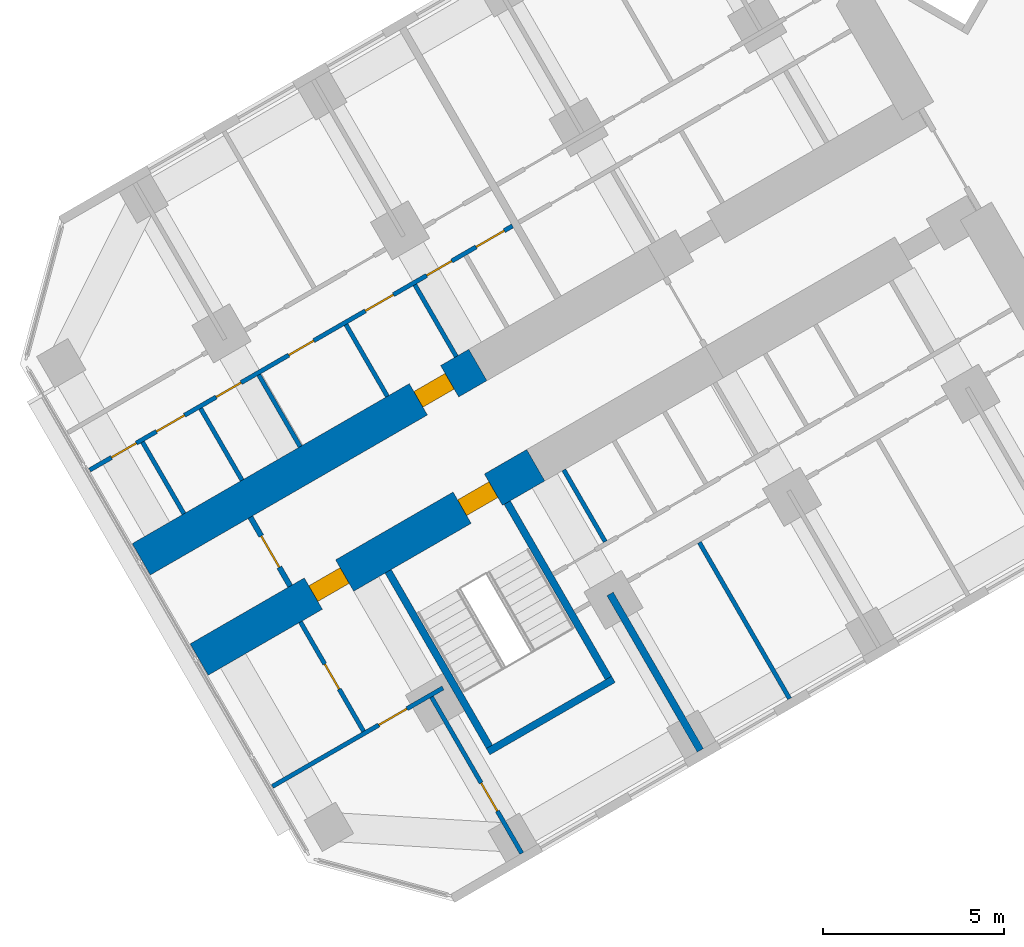
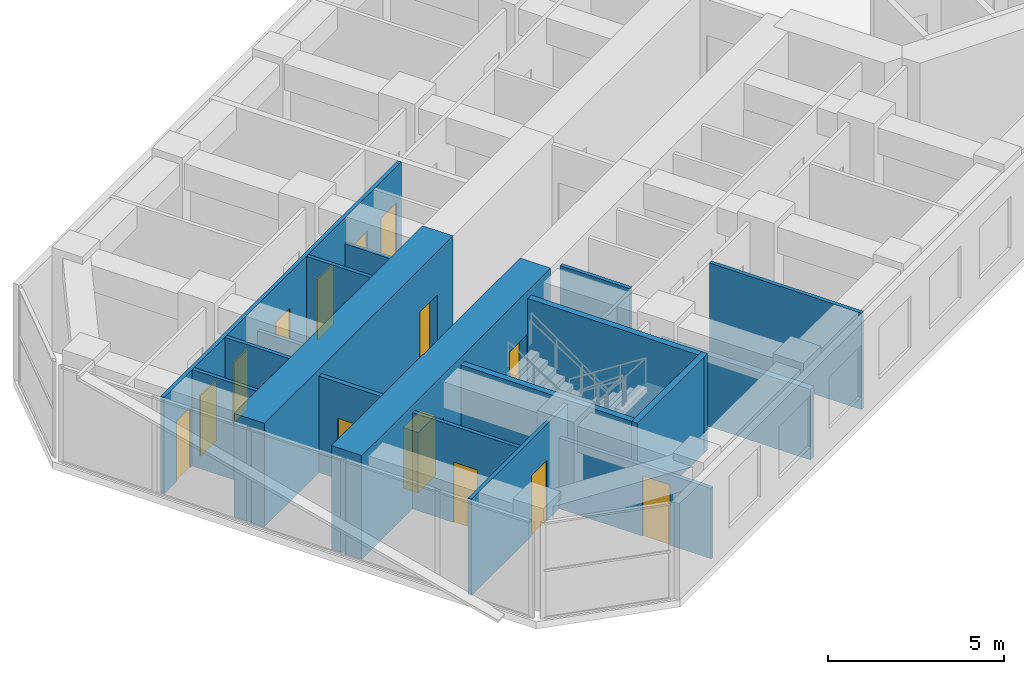
# One storey, part 10 of 21: 18 walls, 14 doors, 14 openings.
"""IFC4 building model written with IfcOpenShell, lengths in metres."""

import ifcopenshell
import ifcopenshell.guid

model = None  # the IFC model being written
_history = None  # IfcOwnerHistory: only IFC2X3 demands one
_inside = {}  # id of a spatial element -> (the spatial element, [elements in it])
_under = {}  # id of a project, library or spatial element -> (it, [spatial elements below it])
_declared = {}  # id of a project -> (the project, [libraries it declares])
_typed = {}  # id of a type object -> (the type object, [elements of that type])
_made_of = {}  # id of a material, layer set ... -> (it, [elements and type objects made of it])


def new_model(schema):
    """Start an empty IFC model of exactly this schema.

    Asked for "IFC4X3", IfcOpenShell would pick the latest addendum, in which some entities
    have other attributes; the version numbers below select the first issue.
    IFC2X3 requires an IfcOwnerHistory on every rooted entity: one is made here for all.
    """
    global model, _history
    if schema == "IFC4X3":
        model = ifcopenshell.file(schema_version=(4, 3, 0, 0))
    else:
        model = ifcopenshell.file(schema=schema)
    _inside.clear()
    _under.clear()
    _declared.clear()
    _typed.clear()
    _made_of.clear()
    _history = None
    if model.schema == "IFC2X3":
        org = make("IfcOrganization", Name="unknown")
        user = make(
            "IfcPersonAndOrganization",
            ThePerson=make("IfcPerson", FamilyName="unknown"),
            TheOrganization=org,
        )
        app = make(
            "IfcApplication",
            ApplicationDeveloper=org,
            Version="unknown",
            ApplicationFullName="unknown",
            ApplicationIdentifier="unknown",
        )
        _history = make(
            "IfcOwnerHistory",
            OwningUser=user,
            OwningApplication=app,
            ChangeAction="ADDED",
            CreationDate=0,
        )
    return model


def make(cls, **values):
    """One entity of the class cls with the attributes given. An attribute that is None is left unset."""
    return model.create_entity(
        cls, **{name: value for name, value in values.items() if value is not None}
    )


def rooted(cls, **values):
    """An entity with a GlobalId (a new one), such as an element, a storey or a relation."""
    return make(cls, GlobalId=ifcopenshell.guid.new(), OwnerHistory=_history, **values)


def si_unit(unit_type, name, prefix=None):
    """IfcSIUnit, for example si_unit("LENGTHUNIT", "METRE", prefix="MILLI")."""
    return make("IfcSIUnit", UnitType=unit_type, Prefix=prefix, Name=name)


def assignment(units):
    """IfcUnitAssignment: the units of a project."""
    return None if units is None else make("IfcUnitAssignment", Units=units)


def point(xyz):
    """IfcCartesianPoint."""
    return None if xyz is None else make("IfcCartesianPoint", Coordinates=xyz)


def direction(xyz):
    """IfcDirection."""
    return None if xyz is None else make("IfcDirection", DirectionRatios=xyz)


def frame(location, z_axis=None, x_axis=None):
    """IfcAxis2Placement3D, a coordinate frame: its origin and axes. An axis left out is left unset."""
    return make(
        "IfcAxis2Placement3D",
        Location=point(location),
        Axis=direction(z_axis),
        RefDirection=direction(x_axis),
    )


def frame_2d(location, x_axis=None):
    """IfcAxis2Placement2D, a coordinate frame in the plane: its origin and x axis."""
    return make(
        "IfcAxis2Placement2D", Location=point(location), RefDirection=direction(x_axis)
    )


def origin():
    """The frame at (0, 0, 0) with its axes left unset."""
    return frame((0.0, 0.0, 0.0))


def place(relative_to, where):
    """IfcLocalPlacement: puts the frame where relative to a parent placement (None: the world)."""
    return make(
        "IfcLocalPlacement", PlacementRelTo=relative_to, RelativePlacement=where
    )


def context(
    kind, dimensions, precision=None, world=None, true_north=None, identifier=None
):
    """IfcGeometricRepresentationContext, for example the 3D "Model" context."""
    return make(
        "IfcGeometricRepresentationContext",
        ContextIdentifier=identifier,
        ContextType=kind,
        CoordinateSpaceDimension=dimensions,
        Precision=precision,
        WorldCoordinateSystem=world,
        TrueNorth=true_north,
    )


def subcontext(parent, identifier, kind, view, scale=None):
    """IfcGeometricRepresentationSubContext, for example "Body" below "Model"."""
    return make(
        "IfcGeometricRepresentationSubContext",
        ContextIdentifier=identifier,
        ContextType=kind,
        ParentContext=parent,
        TargetScale=scale,
        TargetView=view,
    )


def project(units=None, contexts=None):
    """IfcProject with its units and contexts."""
    return rooted(
        "IfcProject",
        Name="project",
        RepresentationContexts=contexts,
        UnitsInContext=assignment(units),
    )


def spatial(cls, under=None, at=None, **own):
    """A site, building, storey or space (cls), placed at a placement, below another one or the project."""
    s = rooted(cls, ObjectPlacement=at, **own)
    if under is not None:
        _under.setdefault(under.id(), (under, []))[1].append(s)
    return s


def profile(cls, at=None, kind="AREA", **sizes):
    """A parametric profile (cls). Its sizes go by their IFC names, for example OverallWidth=200.0."""
    return make(cls, ProfileType=kind, Position=at, **sizes)


def rectangle(**sizes):
    """IfcRectangleProfileDef."""
    return profile("IfcRectangleProfileDef", **sizes)


def extrude(swept, where, along, depth):
    """IfcExtrudedAreaSolid: the profile swept, set in the frame where, extruded along a direction by depth."""
    return make(
        "IfcExtrudedAreaSolid",
        SweptArea=swept,
        Position=where,
        ExtrudedDirection=direction(along),
        Depth=depth,
    )


def shape(context_of_items, identifier, shape_type, items):
    """IfcShapeRepresentation: the items that make up one representation, for example the "Body"."""
    return make(
        "IfcShapeRepresentation",
        ContextOfItems=context_of_items,
        RepresentationIdentifier=identifier,
        RepresentationType=shape_type,
        Items=items,
    )


def material(Name=None, Category=None):
    """IfcMaterial."""
    return make("IfcMaterial", Name=Name, Category=Category)


def layer(
    of_material, thickness, ventilated=None, Name=None, Category=None, Priority=None
):
    """IfcMaterialLayer: one layer of a wall or slab, of a material (None: an air gap)."""
    return make(
        "IfcMaterialLayer",
        Material=of_material,
        LayerThickness=thickness,
        IsVentilated=ventilated,
        Name=Name,
        Category=Category,
        Priority=Priority,
    )


def layer_set(layers, Name=None):
    """IfcMaterialLayerSet."""
    return make("IfcMaterialLayerSet", MaterialLayers=layers, LayerSetName=Name)


def made_of(thing, what):
    """Note that an element or type object is made of a material, layer set ...; save() writes the relation."""
    if what is not None:
        _made_of.setdefault(what.id(), (what, []))[1].append(thing)
    return thing


def type_object(cls, material=None, **own):
    """A type object (cls), such as IfcWallType, which elements share."""
    return made_of(rooted(cls, **own), material)


def element(
    cls,
    number,
    at=None,
    inside=None,
    cuts=None,
    type_object=None,
    material=None,
    context=None,
    identifier="Body",
    shape_type=None,
    held_by="IfcProductDefinitionShape",
    body=None,
    shapes=None,
    **own,
):
    """One element of the class cls, such as IfcWall. Its Tag is "e" and its number.

    at: its placement. inside: the storey or other place that contains it. cuts: it is an
    opening in that element (IfcRelVoidsElement). A single representation is given by context,
    identifier, shape_type and body (its items); several are given by shapes. held_by: the class
    of the entity that holds the representations. save() writes the other relations.
    """
    e = rooted(cls, Tag="e%d" % number, ObjectPlacement=at, **own)
    if body is not None:
        shapes = [shape(context, identifier, shape_type, body)]
    if shapes is not None:
        e.Representation = make(held_by, Representations=shapes)
    if inside is not None:
        _inside.setdefault(inside.id(), (inside, []))[1].append(e)
    if cuts is not None:
        rooted(
            "IfcRelVoidsElement", RelatingBuildingElement=cuts, RelatedOpeningElement=e
        )
    if type_object is not None:
        _typed.setdefault(type_object.id(), (type_object, []))[1].append(e)
    return made_of(e, material)


def fill(opening, filler):
    """IfcRelFillsElement: the door or window that sits in an opening."""
    return rooted(
        "IfcRelFillsElement",
        RelatingOpeningElement=opening,
        RelatedBuildingElement=filler,
    )


def aggregate(whole, parts):
    """IfcRelAggregates: a whole, such as a stair, and the parts it consists of."""
    return rooted("IfcRelAggregates", RelatingObject=whole, RelatedObjects=parts)


def save(model, path):
    """Write the relations noted so far, then the file.

    IfcRelAggregates (storeys below a building ...), IfcRelContainedInSpatialStructure (elements
    in a storey), IfcRelDefinesByType, IfcRelAssociatesMaterial and IfcRelDeclares: one each for
    every whole, place, type object, material and project.
    """
    for whole, parts in _under.values():
        aggregate(whole, parts)
    for where, things in _inside.values():
        rooted(
            "IfcRelContainedInSpatialStructure",
            RelatedElements=things,
            RelatingStructure=where,
        )
    for kind, things in _typed.values():
        rooted("IfcRelDefinesByType", RelatedObjects=things, RelatingType=kind)
    for what, things in _made_of.values():
        rooted("IfcRelAssociatesMaterial", RelatedObjects=things, RelatingMaterial=what)
    for by, libraries in _declared.values():
        rooted("IfcRelDeclares", RelatingContext=by, RelatedDefinitions=libraries)
    model.write(path)


model = new_model("IFC4")

# Units and contexts
model_context = context("Model", 3, precision=1e-05, world=origin(), true_north=direction((0.0, 1.0)))
body_context = subcontext(model_context, "Body", "Model", "MODEL_VIEW")
ifc_project = project(units=[si_unit("LENGTHUNIT", "METRE"), si_unit("AREAUNIT", "SQUARE_METRE"), si_unit("VOLUMEUNIT", "CUBIC_METRE"), si_unit("PLANEANGLEUNIT", "RADIAN"), si_unit("MASSUNIT", "GRAM", prefix="KILO")], contexts=[model_context])

# Site, building, storey
site_placement = place(None, origin())
site = spatial("IfcSite", under=ifc_project, at=site_placement, CompositionType="ELEMENT")
building_placement = place(site_placement, origin())
building = spatial("IfcBuilding", under=site, at=building_placement, Name="Kosmar Iwan School Tower", CompositionType="ELEMENT")
storey_placement = place(building_placement, frame((0.0, 0.0, 57.39990234375)))
storey = spatial("IfcBuildingStorey", under=building, at=storey_placement, Name="L13", CompositionType="ELEMENT", Elevation=57.39990234375)

# Wall, openings, doors
ifc_material_1 = material(Name="Concrete C50/60", Category="concrete")
ifc_layer_1 = layer(ifc_material_1, 1.0)
ifc_layer_set_1 = layer_set([ifc_layer_1], Name="Corridor buttress wall 1000")
wall_type_1 = type_object("IfcWallType", Name="Corridor buttress wall 1000", PredefinedType="SHEAR", material=ifc_layer_set_1)
wall_1_placement = place(storey_placement, frame((-19.681396484375, -13.210693359375, 0.0), z_axis=(0.0, 0.0, 1.0), x_axis=(-0.866028186671, -0.499995179869, 0.0)))
wall_1 = element("IfcWall", 1, at=wall_1_placement, inside=storey, type_object=wall_type_1, Name="Corridor wall BL bay 3", PredefinedType="SHEAR", context=body_context, shape_type="SweptSolid", body=[
    extrude(rectangle(XDim=10.7451171875, YDim=1.0, at=frame_2d((5.37255859375, 0.0))), origin(), (0.0, 0.0, 1.0), 3.60009765625),
])
opening_1_placement = place(wall_1_placement, frame((6.10009765625, 0.0, 0.0)))
opening_1 = element("IfcOpeningElement", 2, at=opening_1_placement, cuts=wall_1, Name="Opening D1", PredefinedType="OPENING", context=body_context, shape_type="SweptSolid", body=[
    extrude(rectangle(XDim=1.0, YDim=2.10009765625, at=frame_2d((0.5, 1.050048828125))), frame((0.0, 0.511962890625, 0.0), z_axis=(0.0, -1.0, 0.0), x_axis=(1.0, 0.0, 0.0)), (0.0, 0.0, 1.0), 1.02392578125),
])
opening_2_placement = place(wall_1_placement, frame((1.35009765625, 0.0, 0.0)))
opening_2 = element("IfcOpeningElement", 3, at=opening_2_placement, cuts=wall_1, Name="Opening D6", PredefinedType="OPENING", context=body_context, shape_type="SweptSolid", body=[
    extrude(rectangle(XDim=1.0, YDim=2.10009765625, at=frame_2d((0.5, 1.050048828125))), frame((0.0, 0.511962890625, 0.0), z_axis=(0.0, -1.0, 0.0), x_axis=(1.0, 0.0, 0.0)), (0.0, 0.0, 1.0), 1.02392578125),
])
ifc_material_2 = material(Name="Timber fire door in steel frame", Category="steel")
door_type_1 = type_object("IfcDoorType", Name="Flat entrance door 1000x2100", OperationType="SINGLE_SWING_LEFT", PredefinedType="DOOR", material=ifc_material_2)
door_1_placement = place(opening_1_placement, origin())
door_1 = element("IfcDoor", 4, at=door_1_placement, inside=storey, type_object=door_type_1, Name="Flat L13-BL2 entrance door", OperationType="SINGLE_SWING_RIGHT", OverallHeight=2.10009765625, OverallWidth=1.0, PredefinedType="DOOR", context=body_context, shape_type="SweptSolid", body=[
    extrude(rectangle(XDim=1.0, YDim=2.10009765625, at=frame_2d((0.5, 1.050048828125))), frame((0.0, 0.25, 0.0), z_axis=(0.0, -1.0, 0.0), x_axis=(1.0, 0.0, 0.0)), (0.0, 0.0, 1.0), 0.5),
])
fill(opening_1, door_1)
ifc_material_3 = material(Name="Steel fire door", Category="steel")
door_type_2 = type_object("IfcDoorType", Name="Stair door 1000x2100", OperationType="SINGLE_SWING_LEFT", PredefinedType="DOOR", material=ifc_material_3)
door_2_placement = place(opening_2_placement, origin())
door_2 = element("IfcDoor", 5, at=door_2_placement, inside=storey, type_object=door_type_2, Name="Stair WS2 door L13", OperationType="SINGLE_SWING_LEFT", OverallHeight=2.10009765625, OverallWidth=1.0, PredefinedType="DOOR", context=body_context, shape_type="SweptSolid", body=[
    extrude(rectangle(XDim=1.0, YDim=2.10009765625, at=frame_2d((0.5, 1.050048828125))), frame((0.0, 0.25, 0.0), z_axis=(0.0, -1.0, 0.0), x_axis=(1.0, 0.0, 0.0)), (0.0, 0.0, 1.0), 0.5),
])
fill(opening_2, door_2)

# Wall, opening, door
wall_2_placement = place(storey_placement, frame((-21.281494140625, -10.439453125, 0.0), z_axis=(0.0, 0.0, 1.0), x_axis=(-0.866032345022, -0.499987977232, 0.0)))
wall_2 = element("IfcWall", 6, at=wall_2_placement, inside=storey, type_object=wall_type_1, Name="Corridor wall BR bay 3", PredefinedType="SHEAR", context=body_context, shape_type="SweptSolid", body=[
    extrude(rectangle(XDim=10.744873046875, YDim=1.0, at=frame_2d((5.37255859375, 0.0))), origin(), (0.0, 0.0, 1.0), 3.60009765625),
])
opening_3_placement = place(wall_2_placement, frame((0.89990234375, 0.0, 0.0)))
opening_3 = element("IfcOpeningElement", 7, at=opening_3_placement, cuts=wall_2, Name="Opening D1", PredefinedType="OPENING", context=body_context, shape_type="SweptSolid", body=[
    extrude(rectangle(XDim=1.0, YDim=2.10009765625, at=frame_2d((0.5, 1.050048828125))), frame((0.0, 0.511962890625, 0.0), z_axis=(0.0, -1.0, 0.0), x_axis=(1.0, 0.0, 0.0)), (0.0, 0.0, 1.0), 1.02392578125),
])
door_3_placement = place(opening_3_placement, origin())
door_3 = element("IfcDoor", 8, at=door_3_placement, inside=storey, type_object=door_type_1, Name="Flat L13-BR2 entrance door", OperationType="SINGLE_SWING_LEFT", OverallHeight=2.10009765625, OverallWidth=1.0, PredefinedType="DOOR", context=body_context, shape_type="SweptSolid", body=[
    extrude(rectangle(XDim=1.0, YDim=2.10009765625, at=frame_2d((0.5, 1.050048828125))), frame((0.0, 0.25, 0.0), z_axis=(0.0, -1.0, 0.0), x_axis=(1.0, 0.0, 0.0)), (0.0, 0.0, 1.0), 0.5),
])
fill(opening_3, door_3)

ifc_material_4 = material(Name="Gypsum board on steel studs, fire-rated", Category="steel")
ifc_layer_2 = layer(ifc_material_4, 0.14990234375)
ifc_layer_set_2 = layer_set([ifc_layer_2], Name="Corridor end wall 150")
wall_type_2 = type_object("IfcWallType", Name="Corridor end wall 150", PredefinedType="PARTITIONING", material=ifc_layer_set_2)
wall_3_placement = place(storey_placement, frame((-27.570068359375, -14.6474609375, 0.0), z_axis=(0.0, 0.0, 1.0), x_axis=(0.50002983664, -0.866008176907, 0.0)))
wall_3 = element("IfcWall", 9, at=wall_3_placement, inside=storey, type_object=wall_type_2, Name="Partition L13-B-CE", PredefinedType="PARTITIONING", context=body_context, shape_type="SweptSolid", body=[
    extrude(rectangle(XDim=2.199951171875, YDim=0.14990234375, at=frame_2d((1.10009765625, 0.0))), origin(), (0.0, 0.0, 1.0), 3.35009765625),
])
opening_4_placement = place(wall_3_placement, frame((0.60009765625, 0.0, 0.0)))
opening_4 = element("IfcOpeningElement", 10, at=opening_4_placement, cuts=wall_3, Name="Opening D13", PredefinedType="OPENING", context=body_context, shape_type="SweptSolid", body=[
    extrude(rectangle(XDim=1.0, YDim=2.10009765625, at=frame_2d((0.5, 1.050048828125))), frame((0.0, 0.0869140625, 0.0), z_axis=(0.0, -1.0, 0.0), x_axis=(1.0, 0.0, 0.0)), (0.0, 0.0, 1.0), 0.173828125),
])
ifc_material_5 = material(Name="Timber fire door with vision panel", Category="wood")
door_type_3 = type_object("IfcDoorType", Name="Corridor end door 1000x2100", OperationType="SINGLE_SWING_LEFT", PredefinedType="DOOR", material=ifc_material_5)
door_4_placement = place(opening_4_placement, origin())
door_4 = element("IfcDoor", 11, at=door_4_placement, inside=storey, type_object=door_type_3, Name="Children's play room door L13-B", OperationType="SINGLE_SWING_RIGHT", OverallHeight=2.10009765625, OverallWidth=1.0, PredefinedType="DOOR", context=body_context, shape_type="SweptSolid", body=[
    extrude(rectangle(XDim=1.0, YDim=2.10009765625, at=frame_2d((0.5, 1.050048828125))), frame((0.0, 0.02490234375, 0.0), z_axis=(0.0, -1.0, 0.0), x_axis=(1.0, 0.0, 0.0)), (0.0, 0.0, 1.0), 0.050048828125),
])
fill(opening_4, door_4)

# Walls
ifc_material_6 = material(Name="Gypsum board on steel studs", Category="steel")
ifc_layer_3 = layer(ifc_material_6, 0.1201171875)
ifc_layer_set_3 = layer_set([ifc_layer_3], Name="Dwelling partition 120")
wall_type_3 = type_object("IfcWallType", Name="Dwelling partition 120", PredefinedType="PARTITIONING", material=ifc_layer_set_3)
wall_4_placement = place(storey_placement, frame((-15.158447265625, -15.344970703125, 0.0), z_axis=(0.0, 0.0, 1.0), x_axis=(0.500011847778, -0.866018563358, 0.0)))
element("IfcWall", 12, at=wall_4_placement, inside=storey, type_object=wall_type_3, Name="Partition L13-BL1-X4", PredefinedType="PARTITIONING", context=body_context, shape_type="SweptSolid", body=[
    extrude(rectangle(XDim=4.990234375, YDim=0.1201171875, at=frame_2d((2.4951171875, 0.0))), origin(), (0.0, 0.0, 1.0), 3.35009765625),
])
wall_5_placement = place(storey_placement, frame((-18.906005859375, -13.34033203125, 0.0), z_axis=(0.0, 0.0, 1.0), x_axis=(0.500014693593, -0.866016920268, 0.0)))
element("IfcWall", 13, at=wall_5_placement, inside=storey, type_object=wall_type_3, Name="Partition L13-BL1-Y7", PredefinedType="PARTITIONING", context=body_context, shape_type="SweptSolid", body=[
    extrude(rectangle(XDim=2.2900390625, YDim=0.1201171875, at=frame_2d((1.14501953125, 0.0))), origin(), (0.0, 0.0, 1.0), 3.35009765625),
])

# Wall, opening, door
wall_6_placement = place(storey_placement, frame((-22.562744140625, -19.6201171875, 0.0), z_axis=(0.0, 0.0, 1.0), x_axis=(0.499996339024, -0.86602751744, 0.0)))
wall_6 = element("IfcWall", 14, at=wall_6_placement, inside=storey, type_object=wall_type_3, Name="Partition L13-BL2-TX", PredefinedType="PARTITIONING", context=body_context, shape_type="SweptSolid", body=[
    extrude(rectangle(XDim=4.98974609375, YDim=0.1201171875, at=frame_2d((2.494873046875, 0.0))), origin(), (0.0, 0.0, 1.0), 2.4501953125),
])
opening_5_placement = place(wall_6_placement, frame((2.739990234375, 0.0, 0.0)))
opening_5 = element("IfcOpeningElement", 15, at=opening_5_placement, cuts=wall_6, Name="Opening D2", PredefinedType="OPENING", context=body_context, shape_type="SweptSolid", body=[
    extrude(rectangle(XDim=0.89990234375, YDim=2.10009765625, at=frame_2d((0.449951171875, 1.050048828125))), frame((0.0, 0.072021484375, 0.0), z_axis=(0.0, -1.0, 0.0), x_axis=(1.0, 0.0, 0.0)), (0.0, 0.0, 1.0), 0.14404296875),
])
ifc_material_7 = material(Name="Timber door in timber frame", Category="wood")
door_type_4 = type_object("IfcDoorType", Name="Internal door 900x2100", OperationType="SINGLE_SWING_LEFT", PredefinedType="DOOR", material=ifc_material_7)
door_5_placement = place(opening_5_placement, origin())
door_5 = element("IfcDoor", 16, at=door_5_placement, inside=storey, type_object=door_type_4, Name="Bedroom 1 door L13-BL2-T1", OperationType="SINGLE_SWING_RIGHT", OverallHeight=2.10009765625, OverallWidth=0.89990234375, PredefinedType="DOOR", context=body_context, shape_type="SweptSolid", body=[
    extrude(rectangle(XDim=0.89990234375, YDim=2.10009765625, at=frame_2d((0.449951171875, 1.050048828125))), frame((0.0, 0.02490234375, 0.0), z_axis=(0.0, -1.0, 0.0), x_axis=(1.0, 0.0, 0.0)), (0.0, 0.0, 1.0), 0.050048828125),
])
fill(opening_5, door_5)

wall_7_placement = place(storey_placement, frame((-22.246337890625, -19.3681640625, 0.0), z_axis=(0.0, 0.0, 1.0), x_axis=(-0.866035508231, -0.499982498177, 0.0)))
wall_7 = element("IfcWall", 17, at=wall_7_placement, inside=storey, type_object=wall_type_3, Name="Partition L13-BL2-TW", PredefinedType="PARTITIONING", context=body_context, shape_type="SweptSolid", body=[
    extrude(rectangle(XDim=5.445068359375, YDim=0.1201171875, at=frame_2d((2.72265625, 0.0))), origin(), (0.0, 0.0, 1.0), 3.35009765625),
])
opening_6_placement = place(wall_7_placement, frame((1.14990234375, 0.0, 0.0)))
opening_6 = element("IfcOpeningElement", 18, at=opening_6_placement, cuts=wall_7, Name="Opening D2", PredefinedType="OPENING", context=body_context, shape_type="SweptSolid", body=[
    extrude(rectangle(XDim=0.89990234375, YDim=2.10009765625, at=frame_2d((0.449951171875, 1.050048828125))), frame((0.0, 0.072021484375, 0.0), z_axis=(0.0, -1.0, 0.0), x_axis=(1.0, 0.0, 0.0)), (0.0, 0.0, 1.0), 0.14404296875),
])
door_6_placement = place(opening_6_placement, origin())
door_6 = element("IfcDoor", 19, at=door_6_placement, inside=storey, type_object=door_type_4, Name="Entrance hall door L13-BL2-T3", OperationType="SINGLE_SWING_LEFT", OverallHeight=2.10009765625, OverallWidth=0.89990234375, PredefinedType="DOOR", context=body_context, shape_type="SweptSolid", body=[
    extrude(rectangle(XDim=0.89990234375, YDim=2.10009765625, at=frame_2d((0.449951171875, 1.050048828125))), frame((0.0, 0.02490234375, 0.0), z_axis=(0.0, -1.0, 0.0), x_axis=(1.0, 0.0, 0.0)), (0.0, 0.0, 1.0), 0.050048828125),
])
fill(opening_6, door_6)

wall_8_placement = place(storey_placement, frame((-26.1865234375, -17.543701171875, 0.0), z_axis=(0.0, 0.0, 1.0), x_axis=(0.50002117804, -0.866013176292, 0.0)))
wall_8 = element("IfcWall", 20, at=wall_8_placement, inside=storey, type_object=wall_type_3, Name="Partition L13-BL2-TY", PredefinedType="PARTITIONING", context=body_context, shape_type="SweptSolid", body=[
    extrude(rectangle(XDim=3.489990234375, YDim=0.1201171875, at=frame_2d((1.7451171875, 0.0))), origin(), (0.0, 0.0, 1.0), 3.35009765625),
])
opening_7_placement = place(wall_8_placement, frame((1.344970703125, 0.0, 0.0)))
opening_7 = element("IfcOpeningElement", 21, at=opening_7_placement, cuts=wall_8, Name="Opening D3", PredefinedType="OPENING", context=body_context, shape_type="SweptSolid", body=[
    extrude(rectangle(XDim=0.800048828125, YDim=2.10009765625, at=frame_2d((0.39990234375, 1.050048828125))), frame((0.0, 0.072021484375, 0.0), z_axis=(0.0, -1.0, 0.0), x_axis=(1.0, 0.0, 0.0)), (0.0, 0.0, 1.0), 0.14404296875),
])
ifc_material_8 = material(Name="Timber door in timber frame", Category="wood")
door_type_5 = type_object("IfcDoorType", Name="Sanitary room door 800x2100", OperationType="SINGLE_SWING_LEFT", PredefinedType="DOOR", material=ifc_material_8)
door_7_placement = place(opening_7_placement, origin())
door_7 = element("IfcDoor", 22, at=door_7_placement, inside=storey, type_object=door_type_5, Name="Bathroom door L13-BL2-T4", OperationType="SINGLE_SWING_RIGHT", OverallHeight=2.10009765625, OverallWidth=0.800048828125, PredefinedType="DOOR", context=body_context, shape_type="SweptSolid", body=[
    extrude(rectangle(XDim=0.800048828125, YDim=2.10009765625, at=frame_2d((0.39990234375, 1.050048828125))), frame((0.0, 0.02490234375, 0.0), z_axis=(0.0, -1.0, 0.0), x_axis=(1.0, 0.0, 0.0)), (0.0, 0.0, 1.0), 0.050048828125),
])
fill(opening_7, door_7)

# Wall, openings, doors
wall_9_placement = place(storey_placement, frame((-20.324951171875, -6.59619140625, 0.0), z_axis=(0.0, 0.0, 1.0), x_axis=(-0.866023503214, -0.50000329187, 0.0)))
wall_9 = element("IfcWall", 23, at=wall_9_placement, inside=storey, type_object=wall_type_3, Name="Partition L13-BR2-W1", PredefinedType="PARTITIONING", context=body_context, shape_type="SweptSolid", body=[
    extrude(rectangle(XDim=13.4951171875, YDim=0.1201171875, at=frame_2d((6.74755859375, 0.0))), origin(), (0.0, 0.0, 1.0), 3.35009765625),
])
opening_8_placement = place(wall_9_placement, frame((0.262451171875, 0.0, 0.0)))
opening_8 = element("IfcOpeningElement", 24, at=opening_8_placement, cuts=wall_9, Name="Opening D2", PredefinedType="OPENING", context=body_context, shape_type="SweptSolid", body=[
    extrude(rectangle(XDim=0.89990234375, YDim=2.10009765625, at=frame_2d((0.449951171875, 1.050048828125))), frame((0.0, 0.072021484375, 0.0), z_axis=(0.0, -1.0, 0.0), x_axis=(1.0, 0.0, 0.0)), (0.0, 0.0, 1.0), 0.14404296875),
])
opening_9_placement = place(wall_9_placement, frame((1.9375, 0.0, 0.0)))
opening_9 = element("IfcOpeningElement", 25, at=opening_9_placement, cuts=wall_9, Name="Opening D3", PredefinedType="OPENING", context=body_context, shape_type="SweptSolid", body=[
    extrude(rectangle(XDim=0.800048828125, YDim=2.10009765625, at=frame_2d((0.39990234375, 1.050048828125))), frame((0.0, 0.072021484375, 0.0), z_axis=(0.0, -1.0, 0.0), x_axis=(1.0, 0.0, 0.0)), (0.0, 0.0, 1.0), 0.14404296875),
])
opening_10_placement = place(wall_9_placement, frame((3.800048828125, 0.0, 0.0)))
opening_10 = element("IfcOpeningElement", 26, at=opening_10_placement, cuts=wall_9, Name="Opening D2", PredefinedType="OPENING", context=body_context, shape_type="SweptSolid", body=[
    extrude(rectangle(XDim=0.89990234375, YDim=2.10009765625, at=frame_2d((0.449951171875, 1.050048828125))), frame((0.0, 0.072021484375, 0.0), z_axis=(0.0, -1.0, 0.0), x_axis=(1.0, 0.0, 0.0)), (0.0, 0.0, 1.0), 0.14404296875),
])
opening_11_placement = place(wall_9_placement, frame((6.341796875, 0.0, 0.0)))
opening_11 = element("IfcOpeningElement", 27, at=opening_11_placement, cuts=wall_9, Name="Opening D3", PredefinedType="OPENING", context=body_context, shape_type="SweptSolid", body=[
    extrude(rectangle(XDim=0.800048828125, YDim=2.10009765625, at=frame_2d((0.39990234375, 1.050048828125))), frame((0.0, 0.072021484375, 0.0), z_axis=(0.0, -1.0, 0.0), x_axis=(1.0, 0.0, 0.0)), (0.0, 0.0, 1.0), 0.14404296875),
])
opening_12_placement = place(wall_9_placement, frame((8.6611328125, 0.0, 0.0)))
opening_12 = element("IfcOpeningElement", 28, at=opening_12_placement, cuts=wall_9, Name="Opening D3", PredefinedType="OPENING", context=body_context, shape_type="SweptSolid", body=[
    extrude(rectangle(XDim=0.800048828125, YDim=2.10009765625, at=frame_2d((0.39990234375, 1.050048828125))), frame((0.0, 0.072021484375, 0.0), z_axis=(0.0, -1.0, 0.0), x_axis=(1.0, 0.0, 0.0)), (0.0, 0.0, 1.0), 0.14404296875),
])
opening_13_placement = place(wall_9_placement, frame((10.466796875, 0.0, 0.0)))
opening_13 = element("IfcOpeningElement", 29, at=opening_13_placement, cuts=wall_9, Name="Opening D2", PredefinedType="OPENING", context=body_context, shape_type="SweptSolid", body=[
    extrude(rectangle(XDim=0.89990234375, YDim=2.10009765625, at=frame_2d((0.449951171875, 1.050048828125))), frame((0.0, 0.072021484375, 0.0), z_axis=(0.0, -1.0, 0.0), x_axis=(1.0, 0.0, 0.0)), (0.0, 0.0, 1.0), 0.14404296875),
])
opening_14_placement = place(wall_9_placement, frame((12.00439453125, 0.0, 0.0)))
opening_14 = element("IfcOpeningElement", 30, at=opening_14_placement, cuts=wall_9, Name="Opening D3", PredefinedType="OPENING", context=body_context, shape_type="SweptSolid", body=[
    extrude(rectangle(XDim=0.800048828125, YDim=2.10009765625, at=frame_2d((0.39990234375, 1.050048828125))), frame((0.0, 0.072021484375, 0.0), z_axis=(0.0, -1.0, 0.0), x_axis=(1.0, 0.0, 0.0)), (0.0, 0.0, 1.0), 0.14404296875),
])
door_8_placement = place(opening_8_placement, origin())
door_8 = element("IfcDoor", 31, at=door_8_placement, inside=storey, type_object=door_type_4, Name="Utility room door L13-BR2-S1", OperationType="SINGLE_SWING_LEFT", OverallHeight=2.10009765625, OverallWidth=0.89990234375, PredefinedType="DOOR", context=body_context, shape_type="SweptSolid", body=[
    extrude(rectangle(XDim=0.89990234375, YDim=2.10009765625, at=frame_2d((0.449951171875, 1.050048828125))), frame((0.0, 0.02490234375, 0.0), z_axis=(0.0, -1.0, 0.0), x_axis=(1.0, 0.0, 0.0)), (0.0, 0.0, 1.0), 0.050048828125),
])
fill(opening_8, door_8)
door_9_placement = place(opening_10_placement, origin())
door_9 = element("IfcDoor", 32, at=door_9_placement, inside=storey, type_object=door_type_4, Name="Entrance hall door L13-BR2-S3", OperationType="SINGLE_SWING_LEFT", OverallHeight=2.10009765625, OverallWidth=0.89990234375, PredefinedType="DOOR", context=body_context, shape_type="SweptSolid", body=[
    extrude(rectangle(XDim=0.89990234375, YDim=2.10009765625, at=frame_2d((0.449951171875, 1.050048828125))), frame((0.0, 0.02490234375, 0.0), z_axis=(0.0, -1.0, 0.0), x_axis=(1.0, 0.0, 0.0)), (0.0, 0.0, 1.0), 0.050048828125),
])
fill(opening_10, door_9)
door_10_placement = place(opening_13_placement, origin())
door_10 = element("IfcDoor", 33, at=door_10_placement, inside=storey, type_object=door_type_4, Name="Pantry door L13-BR2-S6", OperationType="SINGLE_SWING_RIGHT", OverallHeight=2.10009765625, OverallWidth=0.89990234375, PredefinedType="DOOR", context=body_context, shape_type="SweptSolid", body=[
    extrude(rectangle(XDim=0.89990234375, YDim=2.10009765625, at=frame_2d((0.449951171875, 1.050048828125))), frame((0.0, 0.02490234375, 0.0), z_axis=(0.0, -1.0, 0.0), x_axis=(1.0, 0.0, 0.0)), (0.0, 0.0, 1.0), 0.050048828125),
])
fill(opening_13, door_10)
door_11_placement = place(opening_9_placement, origin())
door_11 = element("IfcDoor", 34, at=door_11_placement, inside=storey, type_object=door_type_5, Name="WC door L13-BR2-S2", OperationType="SINGLE_SWING_RIGHT", OverallHeight=2.10009765625, OverallWidth=0.800048828125, PredefinedType="DOOR", context=body_context, shape_type="SweptSolid", body=[
    extrude(rectangle(XDim=0.800048828125, YDim=2.10009765625, at=frame_2d((0.39990234375, 1.050048828125))), frame((0.0, 0.02490234375, 0.0), z_axis=(0.0, -1.0, 0.0), x_axis=(1.0, 0.0, 0.0)), (0.0, 0.0, 1.0), 0.050048828125),
])
fill(opening_9, door_11)
door_12_placement = place(opening_11_placement, origin())
door_12 = element("IfcDoor", 35, at=door_12_placement, inside=storey, type_object=door_type_5, Name="Bathroom door L13-BR2-S4", OperationType="SINGLE_SWING_RIGHT", OverallHeight=2.10009765625, OverallWidth=0.800048828125, PredefinedType="DOOR", context=body_context, shape_type="SweptSolid", body=[
    extrude(rectangle(XDim=0.800048828125, YDim=2.10009765625, at=frame_2d((0.39990234375, 1.050048828125))), frame((0.0, 0.02490234375, 0.0), z_axis=(0.0, -1.0, 0.0), x_axis=(1.0, 0.0, 0.0)), (0.0, 0.0, 1.0), 0.050048828125),
])
fill(opening_11, door_12)
door_13_placement = place(opening_12_placement, origin())
door_13 = element("IfcDoor", 36, at=door_13_placement, inside=storey, type_object=door_type_5, Name="Shower room door L13-BR2-S5", OperationType="SINGLE_SWING_LEFT", OverallHeight=2.10009765625, OverallWidth=0.800048828125, PredefinedType="DOOR", context=body_context, shape_type="SweptSolid", body=[
    extrude(rectangle(XDim=0.800048828125, YDim=2.10009765625, at=frame_2d((0.39990234375, 1.050048828125))), frame((0.0, 0.02490234375, 0.0), z_axis=(0.0, -1.0, 0.0), x_axis=(1.0, 0.0, 0.0)), (0.0, 0.0, 1.0), 0.050048828125),
])
fill(opening_12, door_13)
door_14_placement = place(opening_14_placement, origin())
door_14 = element("IfcDoor", 37, at=door_14_placement, inside=storey, type_object=door_type_5, Name="Store door L13-BR2-S7", OperationType="SINGLE_SWING_LEFT", OverallHeight=2.10009765625, OverallWidth=0.800048828125, PredefinedType="DOOR", context=body_context, shape_type="SweptSolid", body=[
    extrude(rectangle(XDim=0.800048828125, YDim=2.10009765625, at=frame_2d((0.39990234375, 1.050048828125))), frame((0.0, 0.02490234375, 0.0), z_axis=(0.0, -1.0, 0.0), x_axis=(1.0, 0.0, 0.0)), (0.0, 0.0, 1.0), 0.050048828125),
])
fill(opening_14, door_14)

# Walls
wall_10_placement = place(storey_placement, frame((-21.8779296875, -10.206298828125, 0.0), z_axis=(0.0, 0.0, 1.0), x_axis=(-0.500014693593, 0.866016920268, 0.0)))
element("IfcWall", 38, at=wall_10_placement, inside=storey, type_object=wall_type_3, Name="Partition L13-BR2-Y2", PredefinedType="PARTITIONING", context=body_context, shape_type="SweptSolid", body=[
    extrude(rectangle(XDim=2.2900390625, YDim=0.1201171875, at=frame_2d((1.14501953125, 0.0))), origin(), (0.0, 0.0, 1.0), 2.4501953125),
])
wall_11_placement = place(storey_placement, frame((-23.783203125, -11.306396484375, 0.0), z_axis=(0.0, 0.0, 1.0), x_axis=(-0.500014693593, 0.866016920268, 0.0)))
element("IfcWall", 39, at=wall_11_placement, inside=storey, type_object=wall_type_3, Name="Partition L13-BR2-Y3", PredefinedType="PARTITIONING", context=body_context, shape_type="SweptSolid", body=[
    extrude(rectangle(XDim=2.2900390625, YDim=0.1201171875, at=frame_2d((1.14501953125, 0.0))), origin(), (0.0, 0.0, 1.0), 3.35009765625),
])
wall_12_placement = place(storey_placement, frame((-26.193603515625, -12.697998046875, 0.0), z_axis=(0.0, 0.0, 1.0), x_axis=(-0.500014693593, 0.866016920268, 0.0)))
element("IfcWall", 40, at=wall_12_placement, inside=storey, type_object=wall_type_3, Name="Partition L13-BR2-Y4", PredefinedType="PARTITIONING", context=body_context, shape_type="SweptSolid", body=[
    extrude(rectangle(XDim=2.2900390625, YDim=0.1201171875, at=frame_2d((1.14501953125, 0.0))), origin(), (0.0, 0.0, 1.0), 2.4501953125),
])
for number, where, z_axis, x_axis, name in (
    (41, (-27.800537109375, -13.625732421875, 0.0), (0.0, 0.0, 1.0), (-0.500014693593, 0.866016920268, 0.0), "Partition L13-BR2-Y5"),
    (42, (-29.407470703125, -14.553466796875, 0.0), (0.0, 0.0, 1.0), (-0.500014693593, 0.866016920268, 0.0), "Partition L13-BR2-Y6"),
):
    element("IfcWall", number, at=place(storey_placement, frame(where, z_axis=z_axis, x_axis=x_axis)), inside=storey, type_object=wall_type_3, Name=name, PredefinedType="PARTITIONING", context=body_context, shape_type="SweptSolid", body=[
        extrude(rectangle(XDim=2.2900390625, YDim=0.1201171875, at=frame_2d((1.14501953125, 0.0))), origin(), (0.0, 0.0, 1.0), 3.35009765625),
    ])
ifc_material_9 = material(Name="Concrete C35/45", Category="concrete")
ifc_layer_4 = layer(ifc_material_9, 0.199951171875)
ifc_layer_set_4 = layer_set([ifc_layer_4], Name="Escape stair wall 200")
wall_type_4 = type_object("IfcWallType", Name="Escape stair wall 200", PredefinedType="SHEAR", material=ifc_layer_set_4)
for number, where, z_axis, x_axis, name in (
    (43, (-20.470703125, -14.24365234375, 0.0), (0.0, 0.0, 1.0), (0.499987231761, -0.866032775405, 0.0), "Stair WS2 wall"),
    (44, (-23.76171875, -16.1435546875, 0.0), (0.0, 0.0, 1.0), (0.500018801468, -0.86601454848, 0.0), "Stair WS2 wall"),
):
    element("IfcWall", number, at=place(storey_placement, frame(where, z_axis=z_axis, x_axis=x_axis)), inside=storey, type_object=wall_type_4, Name=name, PredefinedType="SHEAR", context=body_context, shape_type="SweptSolid", body=[
        extrude(rectangle(XDim=5.800048828125, YDim=0.199951171875, at=frame_2d((2.89990234375, 0.0))), origin(), (0.0, 0.0, 1.0), 3.330078125),
    ])
wall_13_placement = place(storey_placement, frame((-17.5341796875, -19.1298828125, 0.0), z_axis=(0.0, 0.0, 1.0), x_axis=(-0.866026010844, -0.49999894854, 0.0)))
element("IfcWall", 45, at=wall_13_placement, inside=storey, type_object=wall_type_4, Name="Stair WS2 wall", PredefinedType="SHEAR", context=body_context, shape_type="SweptSolid", body=[
    extrude(rectangle(XDim=4.0, YDim=0.199951171875, at=frame_2d((2.0, 0.0))), origin(), (0.0, 0.0, 1.0), 3.330078125),
])
ifc_material_10 = material(Name="Concrete block masonry", Category="masonry")
ifc_layer_5 = layer(ifc_material_10, 0.199951171875)
ifc_layer_set_5 = layer_set([ifc_layer_5], Name="Party wall 200")
wall_type_5 = type_object("IfcWallType", Name="Party wall 200", PredefinedType="PARTITIONING", material=ifc_layer_set_5)
wall_14_placement = place(storey_placement, frame((-17.62646484375, -16.77001953125, 0.0), z_axis=(0.0, 0.0, 1.0), x_axis=(0.499975153383, -0.86603974851, 0.0)))
element("IfcWall", 46, at=wall_14_placement, inside=storey, type_object=wall_type_5, Name="Partition L13-BL2-TB", PredefinedType="PARTITIONING", context=body_context, shape_type="SweptSolid", body=[
    extrude(rectangle(XDim=4.989990234375, YDim=0.199951171875, at=frame_2d((2.4951171875, 0.0))), origin(), (0.0, 0.0, 1.0), 2.4501953125),
])

save(model, "model.ifc")
